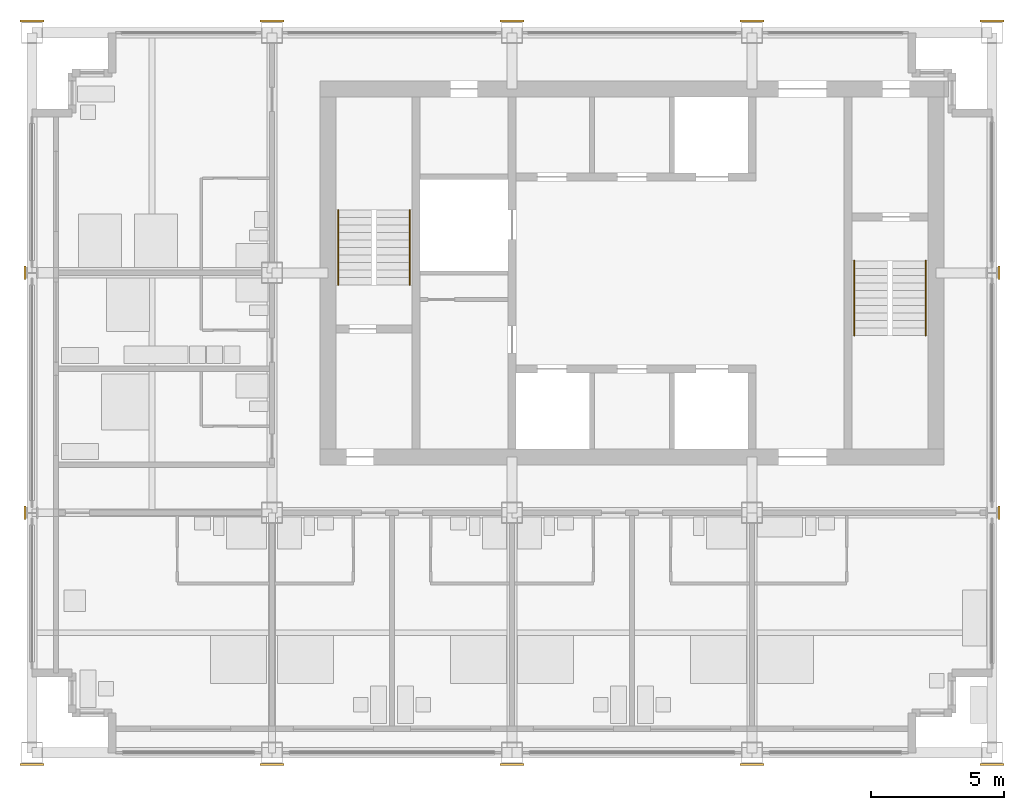
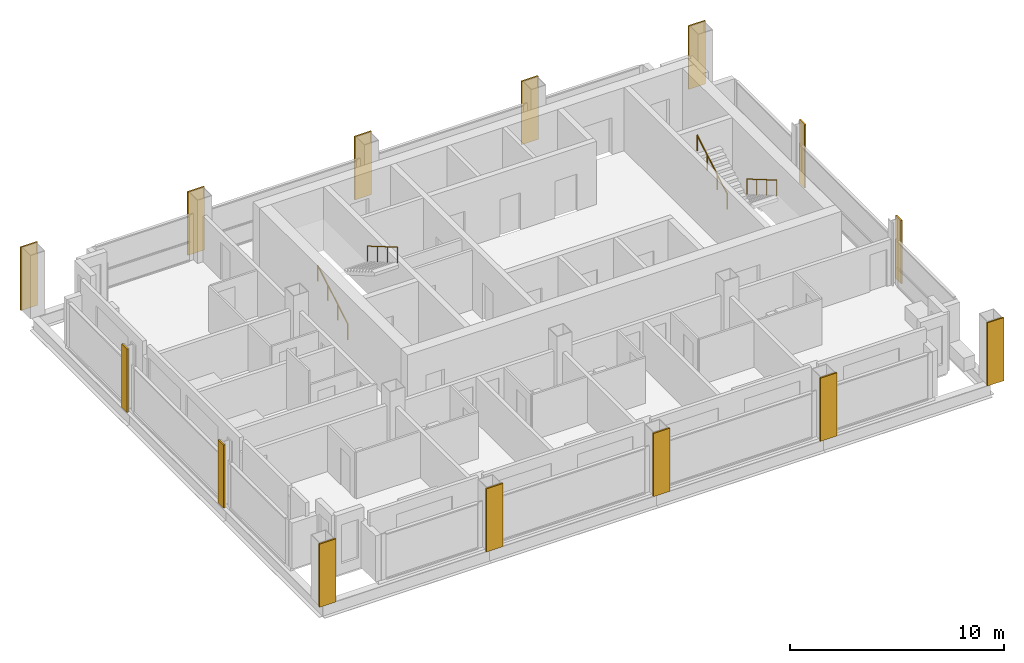
# One storey, part 10 of 12: 14 coverings, 4 railings.
"""IFC4 building model written with IfcOpenShell, lengths in metres."""

from ifc_helpers import new_model, si_unit, direction, frame, origin, origin_2d, place, context, subcontext, project, spatial, rectangle, circle, extrude, material, layer, layer_set, type_object, element, save


model = new_model("IFC4")

# Units and contexts
model_context = context("Model", 3, precision=1e-05, world=origin(), true_north=direction((0.0, 1.0)))
body_context = subcontext(model_context, "Body", "Model", "MODEL_VIEW")
ifc_project = project(units=[si_unit("LENGTHUNIT", "METRE"), si_unit("AREAUNIT", "SQUARE_METRE"), si_unit("VOLUMEUNIT", "CUBIC_METRE"), si_unit("PLANEANGLEUNIT", "RADIAN"), si_unit("MASSUNIT", "GRAM", prefix="KILO")], contexts=[model_context])

# Site, building, storey
site_placement = place(None, origin())
site = spatial("IfcSite", under=ifc_project, at=site_placement, CompositionType="ELEMENT")
building_placement = place(site_placement, origin())
building = spatial("IfcBuilding", under=site, at=building_placement, Name="Loomwork Tower", CompositionType="ELEMENT")
storey_placement = place(building_placement, frame((0.0, 0.0, 255.39990234375)))
storey = spatial("IfcBuildingStorey", under=building, at=storey_placement, Name="L70", CompositionType="ELEMENT", Elevation=255.39990234375)

# Railings
ifc_material_1 = material(Name="Stainless steel handrail", Category="steel")
railing_type = type_object("IfcRailingType", Name="Handrail 900", PredefinedType="HANDRAIL", material=ifc_material_1)
railing_1_placement = place(storey_placement, frame((11.485107421875, 17.550048828125, 0.163818359375)))
element("IfcRailing", 1, at=railing_1_placement, inside=storey, type_object=railing_type, Name="Stair A handrail flight 1 L70", PredefinedType="HANDRAIL", context=body_context, shape_type="SweptSolid", body=[
    extrude(circle(Radius=0.02392578125, at=origin_2d()), frame((0.0, 0.0, 0.8759765625), z_axis=(0.0, 0.863393664356, 0.504530851732), x_axis=(-1.0, 0.0, 0.0)), (0.0, 0.0, 1.0), 3.2431640625),
    extrude(circle(Radius=0.02099609375, at=origin_2d()), origin(), (0.0, 0.0, 1.0), 0.851806640625),
    extrude(circle(Radius=0.02099609375, at=origin_2d()), frame((0.0, 0.933349609375, 0.54541015625)), (0.0, 0.0, 1.0), 0.851806640625),
    extrude(circle(Radius=0.02099609375, at=origin_2d()), frame((0.0, 1.86669921875, 1.0908203125)), (0.0, 0.0, 1.0), 0.851806640625),
    extrude(circle(Radius=0.02099609375, at=origin_2d()), frame((0.0, 2.800048828125, 1.63623046875)), (0.0, 0.0, 1.0), 0.851806640625),
])
railing_2_placement = place(storey_placement, frame((14.1650390625, 20.35009765625, 1.963623046875)))
element("IfcRailing", 2, at=railing_2_placement, inside=storey, type_object=railing_type, Name="Stair A handrail flight 2 L70", PredefinedType="HANDRAIL", context=body_context, shape_type="SweptSolid", body=[
    extrude(circle(Radius=0.02392578125, at=origin_2d()), frame((0.0, 0.0, 0.8759765625), z_axis=(0.0, -0.863360870873, 0.504586966384), x_axis=(1.0, 0.0, 0.0)), (0.0, 0.0, 1.0), 3.2431640625),
    extrude(circle(Radius=0.02099609375, at=origin_2d()), origin(), (0.0, 0.0, 1.0), 0.851806640625),
    extrude(circle(Radius=0.02099609375, at=origin_2d()), frame((0.0, -0.933349609375, 0.54541015625)), (0.0, 0.0, 1.0), 0.851806640625),
    extrude(circle(Radius=0.02099609375, at=origin_2d()), frame((0.0, -1.86669921875, 1.091064453125)), (0.0, 0.0, 1.0), 0.851806640625),
    extrude(circle(Radius=0.02099609375, at=origin_2d()), frame((0.0, -2.800048828125, 1.636474609375)), (0.0, 0.0, 1.0), 0.851806640625),
])
railing_3_placement = place(storey_placement, frame((33.514892578125, 18.449951171875, 0.163818359375)))
element("IfcRailing", 3, at=railing_3_placement, inside=storey, type_object=railing_type, Name="Stair B handrail flight 1 L70", PredefinedType="HANDRAIL", context=body_context, shape_type="SweptSolid", body=[
    extrude(circle(Radius=0.02392578125, at=origin_2d()), frame((0.0, 0.0, 0.8759765625), z_axis=(0.0, -0.863393664356, 0.504530851732), x_axis=(1.0, 0.0, 0.0)), (0.0, 0.0, 1.0), 3.2431640625),
    extrude(circle(Radius=0.02099609375, at=origin_2d()), origin(), (0.0, 0.0, 1.0), 0.851806640625),
    extrude(circle(Radius=0.02099609375, at=origin_2d()), frame((0.0, -0.933349609375, 0.54541015625)), (0.0, 0.0, 1.0), 0.851806640625),
    extrude(circle(Radius=0.02099609375, at=origin_2d()), frame((0.0, -1.86669921875, 1.0908203125)), (0.0, 0.0, 1.0), 0.851806640625),
    extrude(circle(Radius=0.02099609375, at=origin_2d()), frame((0.0, -2.800048828125, 1.63623046875)), (0.0, 0.0, 1.0), 0.851806640625),
])
railing_4_placement = place(storey_placement, frame((30.8349609375, 15.64990234375, 1.963623046875)))
element("IfcRailing", 4, at=railing_4_placement, inside=storey, type_object=railing_type, Name="Stair B handrail flight 2 L70", PredefinedType="HANDRAIL", context=body_context, shape_type="SweptSolid", body=[
    extrude(circle(Radius=0.02392578125, at=origin_2d()), frame((0.0, 0.0, 0.8759765625), z_axis=(0.0, 0.863360870873, 0.504586966384), x_axis=(-1.0, 0.0, 0.0)), (0.0, 0.0, 1.0), 3.2431640625),
    extrude(circle(Radius=0.02099609375, at=origin_2d()), origin(), (0.0, 0.0, 1.0), 0.851806640625),
    extrude(circle(Radius=0.02099609375, at=origin_2d()), frame((0.0, 0.933349609375, 0.54541015625)), (0.0, 0.0, 1.0), 0.851806640625),
    extrude(circle(Radius=0.02099609375, at=origin_2d()), frame((0.0, 1.86669921875, 1.091064453125)), (0.0, 0.0, 1.0), 0.851806640625),
    extrude(circle(Radius=0.02099609375, at=origin_2d()), frame((0.0, 2.800048828125, 1.636474609375)), (0.0, 0.0, 1.0), 0.851806640625),
])

# Coverings
ifc_material_2 = material(Name="Limestone", Category="masonry")
ifc_layer = layer(ifc_material_2, 0.080078125)
ifc_layer_set = layer_set([ifc_layer], Name="Limestone pier facing 80")
covering_type = type_object("IfcCoveringType", Name="Limestone pier facing 80", PredefinedType="CLADDING", material=ifc_layer_set)
covering_1_placement = place(storey_placement, frame((0.0, -0.43994140625, 0.0), z_axis=(0.0, 0.0, 1.0), x_axis=(1.0, 0.0, 0.0)))
element("IfcCovering", 5, at=covering_1_placement, inside=storey, type_object=covering_type, Name="Pier facing D/2 L70", PredefinedType="CLADDING", context=body_context, shape_type="SweptSolid", body=[
    extrude(rectangle(XDim=0.89990234375, YDim=0.080078125, at=origin_2d()), origin(), (0.0, 0.0, 1.0), 3.60009765625),
])
for number, where, z_axis, x_axis, name in (
    (6, (-0.26220703125, 9.0, 0.0), (0.0, 0.0, 1.0), (1.0, 0.0, 0.0), "Pier facing E/2 L70"),
    (7, (-0.26220703125, 18.0, 0.0), (0.0, 0.0, 1.0), (1.0, 0.0, 0.0), "Pier facing F/2 L70"),
):
    element("IfcCovering", number, at=place(storey_placement, frame(where, z_axis=z_axis, x_axis=x_axis)), inside=storey, type_object=covering_type, Name=name, PredefinedType="CLADDING", context=body_context, shape_type="SweptSolid", body=[
        extrude(rectangle(XDim=0.080078125, YDim=0.5166015625, at=origin_2d()), origin(), (0.0, 0.0, 1.0), 3.60009765625),
    ])
for number, where, z_axis, x_axis, name in (
    (8, (0.0, 27.43994140625, 0.0), (0.0, 0.0, 1.0), (1.0, 0.0, 0.0), "Pier facing G/2 L70"),
    (9, (9.0, -0.43994140625, 0.0), (0.0, 0.0, 1.0), (1.0, 0.0, 0.0), "Pier facing D/3 L70"),
    (10, (9.0, 27.43994140625, 0.0), (0.0, 0.0, 1.0), (1.0, 0.0, 0.0), "Pier facing G/3 L70"),
    (11, (18.0, -0.43994140625, 0.0), (0.0, 0.0, 1.0), (1.0, 0.0, 0.0), "Pier facing D/4 L70"),
    (12, (18.0, 27.43994140625, 0.0), (0.0, 0.0, 1.0), (1.0, 0.0, 0.0), "Pier facing G/4 L70"),
    (13, (27.0, -0.43994140625, 0.0), (0.0, 0.0, 1.0), (1.0, 0.0, 0.0), "Pier facing D/5 L70"),
    (14, (27.0, 27.43994140625, 0.0), (0.0, 0.0, 1.0), (1.0, 0.0, 0.0), "Pier facing G/5 L70"),
    (15, (36.0, -0.43994140625, 0.0), (0.0, 0.0, 1.0), (1.0, 0.0, 0.0), "Pier facing D/6 L70"),
):
    element("IfcCovering", number, at=place(storey_placement, frame(where, z_axis=z_axis, x_axis=x_axis)), inside=storey, type_object=covering_type, Name=name, PredefinedType="CLADDING", context=body_context, shape_type="SweptSolid", body=[
        extrude(rectangle(XDim=0.89990234375, YDim=0.080078125, at=origin_2d()), origin(), (0.0, 0.0, 1.0), 3.60009765625),
    ])
for number, where, z_axis, x_axis, name in (
    (16, (36.26220703125, 9.0, 0.0), (0.0, 0.0, 1.0), (1.0, 0.0, 0.0), "Pier facing E/6 L70"),
    (17, (36.26220703125, 18.0, 0.0), (0.0, 0.0, 1.0), (1.0, 0.0, 0.0), "Pier facing F/6 L70"),
):
    element("IfcCovering", number, at=place(storey_placement, frame(where, z_axis=z_axis, x_axis=x_axis)), inside=storey, type_object=covering_type, Name=name, PredefinedType="CLADDING", context=body_context, shape_type="SweptSolid", body=[
        extrude(rectangle(XDim=0.080078125, YDim=0.5166015625, at=origin_2d()), origin(), (0.0, 0.0, 1.0), 3.60009765625),
    ])
covering_2_placement = place(storey_placement, frame((36.0, 27.43994140625, 0.0), z_axis=(0.0, 0.0, 1.0), x_axis=(1.0, 0.0, 0.0)))
element("IfcCovering", 18, at=covering_2_placement, inside=storey, type_object=covering_type, Name="Pier facing G/6 L70", PredefinedType="CLADDING", context=body_context, shape_type="SweptSolid", body=[
    extrude(rectangle(XDim=0.89990234375, YDim=0.080078125, at=origin_2d()), origin(), (0.0, 0.0, 1.0), 3.60009765625),
])

save(model, "model.ifc")
